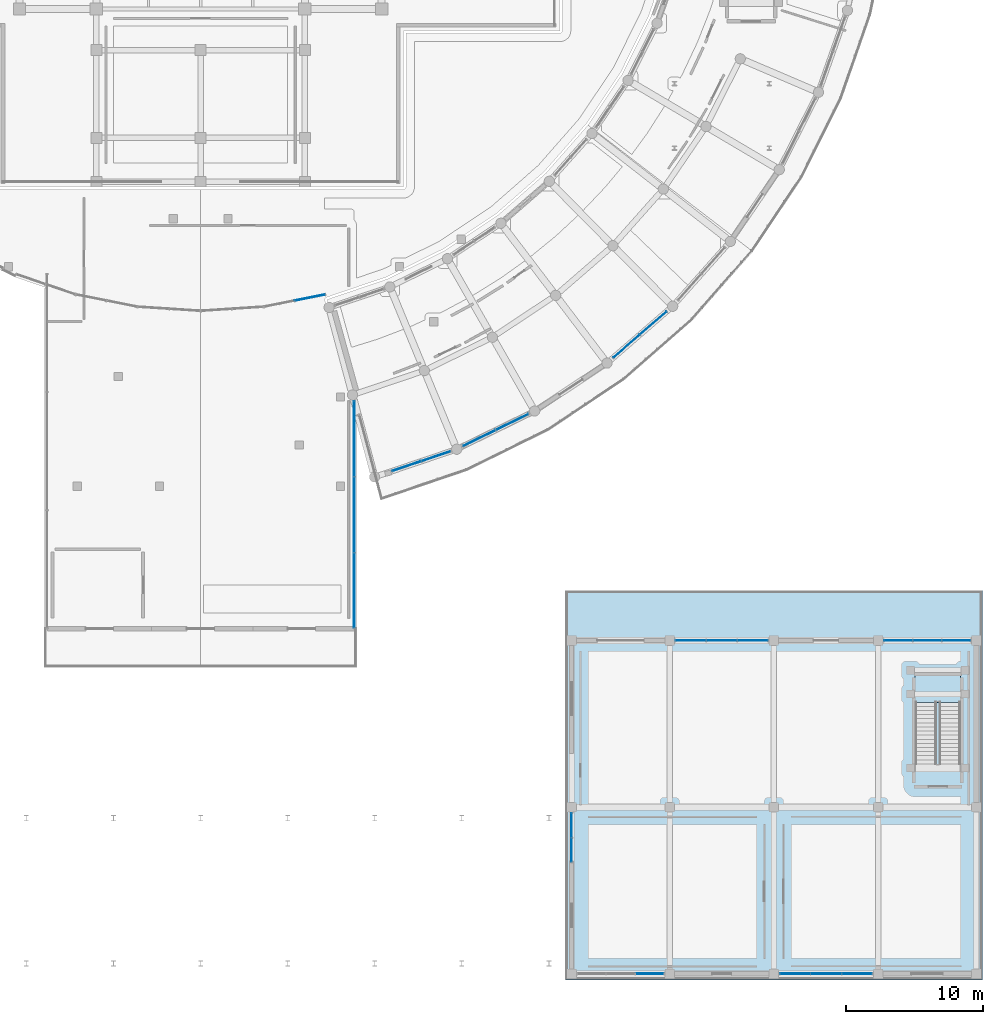
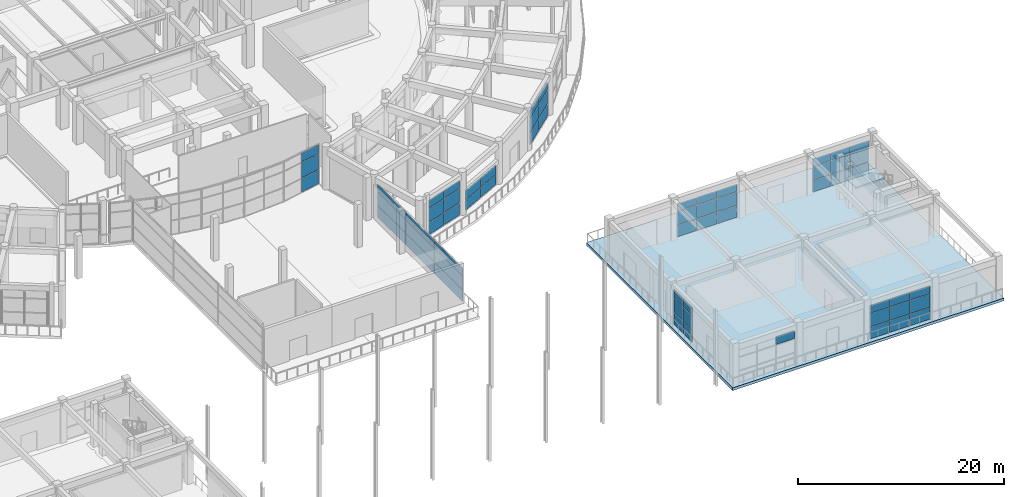
# One storey, part 56 of 99: 62 plates, 2 slabs, 11 elements without a shape of their own.
"""IFC4 building model written with IfcOpenShell, lengths in metres."""

from ifc_helpers import new_model, si_unit, direction, frame, origin, origin_2d, place, context, subcontext, project, spatial, polyline, rectangle, outline, extrude, material, layer, layer_set, type_object, element, aggregate, save


model = new_model("IFC4")

# Units and contexts
model_context = context("Model", 3, precision=1e-05, world=origin(), true_north=direction((0.0, 1.0)))
body_context = subcontext(model_context, "Body", "Model", "MODEL_VIEW")
ifc_project = project(units=[si_unit("LENGTHUNIT", "METRE"), si_unit("AREAUNIT", "SQUARE_METRE"), si_unit("VOLUMEUNIT", "CUBIC_METRE"), si_unit("PLANEANGLEUNIT", "RADIAN"), si_unit("MASSUNIT", "GRAM", prefix="KILO")], contexts=[model_context])

# Site, building, storey
site_placement = place(None, origin())
site = spatial("IfcSite", under=ifc_project, at=site_placement, CompositionType="ELEMENT")
building_placement = place(site_placement, origin())
building = spatial("IfcBuilding", under=site, at=building_placement, Name="Saryqyr Civic Hall", CompositionType="ELEMENT")
storey_placement = place(building_placement, origin())
storey = spatial("IfcBuildingStorey", under=building, at=storey_placement, Name="L00", CompositionType="ELEMENT", Elevation=0.0)

# Curtain wall, plates
ifc_material_1 = material(Name="Anodised aluminium and triple low-E glass", Category="aluminium")
curtain_wall_type_1 = type_object("IfcCurtainWallType", Name="ENV-CW-STD-32", PredefinedType="NOTDEFINED", material=ifc_material_1)
curtain_wall_1_placement = place(storey_placement, origin())
curtain_wall_1 = element("IfcCurtainWall", 1, at=curtain_wall_1_placement, inside=storey, type_object=curtain_wall_type_1, Name="Curtain wall V5-CWO-L00-00", PredefinedType="NOTDEFINED")
ifc_material_2 = material(Name="Triple low-E insulated glazing", Category="glass")
ifc_layer_1 = layer(ifc_material_2, 0.053955078125, Name="Triple low-E insulated glazing")
ifc_layer_set_1 = layer_set([ifc_layer_1], Name="Triple low-E insulated glazing")
plate_type = type_object("IfcPlateType", Name="ENV-CW-PNL-38", PredefinedType="CURTAIN_PANEL", material=ifc_layer_set_1)
plate_1_placement = place(storey_placement, frame((74.165771484375, 38.1875, 0.06005859375), z_axis=(0.0, 0.0, 1.0), x_axis=(-0.947197145075, -0.320651786775, 0.0)))
plate_1 = element("IfcPlate", 2, at=plate_1_placement, type_object=plate_type, Name="CW-32 panel 1.1", PredefinedType="CURTAIN_PANEL", context=body_context, shape_type="SweptSolid", body=[
    extrude(rectangle(XDim=2.193359375, YDim=0.053955078125, at=origin_2d()), origin(), (0.0, 0.0, 1.0), 1.419921875),
])
plate_2_placement = place(storey_placement, frame((74.165771484375, 38.1875, 1.5400390625), z_axis=(0.0, 0.0, 1.0), x_axis=(-0.947197145075, -0.320651786775, 0.0)))
plate_2 = element("IfcPlate", 3, at=plate_2_placement, type_object=plate_type, Name="CW-32 panel 1.2", PredefinedType="CURTAIN_PANEL", context=body_context, shape_type="SweptSolid", body=[
    extrude(rectangle(XDim=2.193359375, YDim=0.053955078125, at=origin_2d()), origin(), (0.0, 0.0, 1.0), 1.617919921875),
])
plate_3_placement = place(storey_placement, frame((74.165771484375, 38.1875, 3.218017578125), z_axis=(0.0, 0.0, 1.0), x_axis=(-0.947197145075, -0.320651786775, 0.0)))
plate_3 = element("IfcPlate", 4, at=plate_3_placement, type_object=plate_type, Name="CW-32 panel 1.3", PredefinedType="CURTAIN_PANEL", context=body_context, shape_type="SweptSolid", body=[
    extrude(rectangle(XDim=2.193359375, YDim=0.053955078125, at=origin_2d()), origin(), (0.0, 0.0, 1.0), 0.9169921875),
])
plate_4_placement = place(storey_placement, frame((72.03125, 37.46484375, 0.06005859375), z_axis=(0.0, 0.0, 1.0), x_axis=(-0.947197145075, -0.320651786775, 0.0)))
plate_4 = element("IfcPlate", 5, at=plate_4_placement, type_object=plate_type, Name="CW-32 panel 2.1", PredefinedType="CURTAIN_PANEL", context=body_context, shape_type="SweptSolid", body=[
    extrude(rectangle(XDim=2.193359375, YDim=0.053955078125, at=origin_2d()), origin(), (0.0, 0.0, 1.0), 1.419921875),
])
plate_5_placement = place(storey_placement, frame((72.03125, 37.46484375, 1.5400390625), z_axis=(0.0, 0.0, 1.0), x_axis=(-0.947197145075, -0.320651786775, 0.0)))
plate_5 = element("IfcPlate", 6, at=plate_5_placement, type_object=plate_type, Name="CW-32 panel 2.2", PredefinedType="CURTAIN_PANEL", context=body_context, shape_type="SweptSolid", body=[
    extrude(rectangle(XDim=2.193359375, YDim=0.053955078125, at=origin_2d()), origin(), (0.0, 0.0, 1.0), 1.617919921875),
])
plate_6_placement = place(storey_placement, frame((72.03125, 37.46484375, 3.218017578125), z_axis=(0.0, 0.0, 1.0), x_axis=(-0.947197145075, -0.320651786775, 0.0)))
plate_6 = element("IfcPlate", 7, at=plate_6_placement, type_object=plate_type, Name="CW-32 panel 2.3", PredefinedType="CURTAIN_PANEL", context=body_context, shape_type="SweptSolid", body=[
    extrude(rectangle(XDim=2.193359375, YDim=0.053955078125, at=origin_2d()), origin(), (0.0, 0.0, 1.0), 0.9169921875),
])
aggregate(curtain_wall_1, [plate_1, plate_2, plate_3, plate_4, plate_5, plate_6])

curtain_wall_type_2 = type_object("IfcCurtainWallType", Name="ENV-CW-STD-33", PredefinedType="NOTDEFINED", material=ifc_material_1)
curtain_wall_2_placement = place(storey_placement, origin())
curtain_wall_2 = element("IfcCurtainWall", 8, at=curtain_wall_2_placement, inside=storey, type_object=curtain_wall_type_2, Name="Curtain wall V5-CWO-L00-01", PredefinedType="NOTDEFINED")
plate_7_placement = place(storey_placement, frame((79.717529296875, 40.67919921875, 0.06005859375), z_axis=(0.0, 0.0, 1.0), x_axis=(-0.897977359396, -0.440041659406, 0.0)))
plate_7 = element("IfcPlate", 9, at=plate_7_placement, type_object=plate_type, Name="CW-33 panel 1.1", PredefinedType="CURTAIN_PANEL", context=body_context, shape_type="SweptSolid", body=[
    extrude(rectangle(XDim=2.612060546875, YDim=0.053955078125, at=origin_2d()), origin(), (0.0, 0.0, 1.0), 1.135009765625),
])
plate_8_placement = place(storey_placement, frame((79.717529296875, 40.67919921875, 1.2548828125), z_axis=(0.0, 0.0, 1.0), x_axis=(-0.897977359396, -0.440041659406, 0.0)))
plate_8 = element("IfcPlate", 10, at=plate_8_placement, type_object=plate_type, Name="CW-33 panel 1.2", PredefinedType="CURTAIN_PANEL", context=body_context, shape_type="SweptSolid", body=[
    extrude(rectangle(XDim=2.612060546875, YDim=0.053955078125, at=origin_2d()), origin(), (0.0, 0.0, 1.0), 1.135009765625),
])
plate_9_placement = place(storey_placement, frame((77.318115234375, 39.50341796875, 0.06005859375), z_axis=(0.0, 0.0, 1.0), x_axis=(-0.897977359396, -0.440041659406, 0.0)))
plate_9 = element("IfcPlate", 11, at=plate_9_placement, type_object=plate_type, Name="CW-33 panel 2.1", PredefinedType="CURTAIN_PANEL", context=body_context, shape_type="SweptSolid", body=[
    extrude(rectangle(XDim=2.612060546875, YDim=0.053955078125, at=origin_2d()), origin(), (0.0, 0.0, 1.0), 1.135009765625),
])
plate_10_placement = place(storey_placement, frame((77.318115234375, 39.50341796875, 1.2548828125), z_axis=(0.0, 0.0, 1.0), x_axis=(-0.897977359396, -0.440041659406, 0.0)))
plate_10 = element("IfcPlate", 12, at=plate_10_placement, type_object=plate_type, Name="CW-33 panel 2.2", PredefinedType="CURTAIN_PANEL", context=body_context, shape_type="SweptSolid", body=[
    extrude(rectangle(XDim=2.612060546875, YDim=0.053955078125, at=origin_2d()), origin(), (0.0, 0.0, 1.0), 1.135009765625),
])
aggregate(curtain_wall_2, [plate_7, plate_8, plate_9, plate_10])

curtain_wall_type_3 = type_object("IfcCurtainWallType", Name="ENV-CW-STD-34", PredefinedType="NOTDEFINED", material=ifc_material_1)
curtain_wall_3_placement = place(storey_placement, origin())
curtain_wall_3 = element("IfcCurtainWall", 13, at=curtain_wall_3_placement, inside=storey, type_object=curtain_wall_type_3, Name="Curtain wall V5-CWO-L00-03", PredefinedType="NOTDEFINED")
plate_11_placement = place(storey_placement, frame((90.00341796875, 47.896728515625, 0.06005859375), z_axis=(0.0, 0.0, 1.0), x_axis=(-0.755656276333, -0.654968390107, 0.0)))
plate_11 = element("IfcPlate", 14, at=plate_11_placement, type_object=plate_type, Name="CW-34 panel 1.1", PredefinedType="CURTAIN_PANEL", context=body_context, shape_type="SweptSolid", body=[
    extrude(rectangle(XDim=2.52490234375, YDim=0.053955078125, at=origin_2d()), origin(), (0.0, 0.0, 1.0), 1.419921875),
])
plate_12_placement = place(storey_placement, frame((90.00341796875, 47.896728515625, 1.5400390625), z_axis=(0.0, 0.0, 1.0), x_axis=(-0.755656276333, -0.654968390107, 0.0)))
plate_12 = element("IfcPlate", 15, at=plate_12_placement, type_object=plate_type, Name="CW-34 panel 1.2", PredefinedType="CURTAIN_PANEL", context=body_context, shape_type="SweptSolid", body=[
    extrude(rectangle(XDim=2.52490234375, YDim=0.053955078125, at=origin_2d()), origin(), (0.0, 0.0, 1.0), 1.617919921875),
])
plate_13_placement = place(storey_placement, frame((90.00341796875, 47.896728515625, 3.218017578125), z_axis=(0.0, 0.0, 1.0), x_axis=(-0.755656276333, -0.654968390107, 0.0)))
plate_13 = element("IfcPlate", 16, at=plate_13_placement, type_object=plate_type, Name="CW-34 panel 1.3", PredefinedType="CURTAIN_PANEL", context=body_context, shape_type="SweptSolid", body=[
    extrude(rectangle(XDim=2.52490234375, YDim=0.053955078125, at=origin_2d()), origin(), (0.0, 0.0, 1.0), 0.9169921875),
])
plate_14_placement = place(storey_placement, frame((88.050048828125, 46.20361328125, 0.06005859375), z_axis=(0.0, 0.0, 1.0), x_axis=(-0.755656276333, -0.654968390107, 0.0)))
plate_14 = element("IfcPlate", 17, at=plate_14_placement, type_object=plate_type, Name="CW-34 panel 2.1", PredefinedType="CURTAIN_PANEL", context=body_context, shape_type="SweptSolid", body=[
    extrude(rectangle(XDim=2.52490234375, YDim=0.053955078125, at=origin_2d()), origin(), (0.0, 0.0, 1.0), 1.419921875),
])
plate_15_placement = place(storey_placement, frame((88.050048828125, 46.20361328125, 1.5400390625), z_axis=(0.0, 0.0, 1.0), x_axis=(-0.755656276333, -0.654968390107, 0.0)))
plate_15 = element("IfcPlate", 18, at=plate_15_placement, type_object=plate_type, Name="CW-34 panel 2.2", PredefinedType="CURTAIN_PANEL", context=body_context, shape_type="SweptSolid", body=[
    extrude(rectangle(XDim=2.52490234375, YDim=0.053955078125, at=origin_2d()), origin(), (0.0, 0.0, 1.0), 1.617919921875),
])
plate_16_placement = place(storey_placement, frame((88.050048828125, 46.20361328125, 3.218017578125), z_axis=(0.0, 0.0, 1.0), x_axis=(-0.755656276333, -0.654968390107, 0.0)))
plate_16 = element("IfcPlate", 19, at=plate_16_placement, type_object=plate_type, Name="CW-34 panel 2.3", PredefinedType="CURTAIN_PANEL", context=body_context, shape_type="SweptSolid", body=[
    extrude(rectangle(XDim=2.52490234375, YDim=0.053955078125, at=origin_2d()), origin(), (0.0, 0.0, 1.0), 0.9169921875),
])
aggregate(curtain_wall_3, [plate_11, plate_12, plate_13, plate_14, plate_15, plate_16])

curtain_wall_type_4 = type_object("IfcCurtainWallType", Name="ENV-CW-STD-59", PredefinedType="NOTDEFINED", material=ifc_material_1)
curtain_wall_4_placement = place(storey_placement, origin())
curtain_wall_4 = element("IfcCurtainWall", 20, at=curtain_wall_4_placement, inside=storey, type_object=curtain_wall_type_4, Name="Curtain wall V7E-CW-L00-0-1", PredefinedType="NOTDEFINED")
plate_17_placement = place(storey_placement, frame((104.8583984375, 0.449951171875, 0.06005859375), z_axis=(0.0, 0.0, 1.0), x_axis=(-1.0, 0.0, 0.0)))
plate_17 = element("IfcPlate", 21, at=plate_17_placement, type_object=plate_type, Name="CW-59 panel 1.1", PredefinedType="CURTAIN_PANEL", context=body_context, shape_type="SweptSolid", body=[
    extrude(rectangle(XDim=2.183349609375, YDim=0.053955078125, at=origin_2d()), origin(), (0.0, 0.0, 1.0), 1.365966796875),
])
plate_18_placement = place(storey_placement, frame((104.8583984375, 0.449951171875, 1.48583984375), z_axis=(0.0, 0.0, 1.0), x_axis=(-1.0, 0.0, 0.0)))
plate_18 = element("IfcPlate", 22, at=plate_18_placement, type_object=plate_type, Name="CW-59 panel 1.2", PredefinedType="CURTAIN_PANEL", context=body_context, shape_type="SweptSolid", body=[
    extrude(rectangle(XDim=2.183349609375, YDim=0.053955078125, at=origin_2d()), origin(), (0.0, 0.0, 1.0), 1.55810546875),
])
plate_19_placement = place(storey_placement, frame((104.8583984375, 0.449951171875, 3.10400390625), z_axis=(0.0, 0.0, 1.0), x_axis=(-1.0, 0.0, 0.0)))
plate_19 = element("IfcPlate", 23, at=plate_19_placement, type_object=plate_type, Name="CW-59 panel 1.3", PredefinedType="CURTAIN_PANEL", context=body_context, shape_type="SweptSolid", body=[
    extrude(rectangle(XDim=2.183349609375, YDim=0.053955078125, at=origin_2d()), origin(), (0.0, 0.0, 1.0), 0.881103515625),
])
plate_20_placement = place(storey_placement, frame((102.60009765625, 0.449951171875, 0.06005859375), z_axis=(0.0, 0.0, 1.0), x_axis=(-1.0, 0.0, 0.0)))
plate_20 = element("IfcPlate", 24, at=plate_20_placement, type_object=plate_type, Name="CW-59 panel 2.1", PredefinedType="CURTAIN_PANEL", context=body_context, shape_type="SweptSolid", body=[
    extrude(rectangle(XDim=2.21337890625, YDim=0.053955078125, at=origin_2d()), origin(), (0.0, 0.0, 1.0), 1.365966796875),
])
plate_21_placement = place(storey_placement, frame((102.60009765625, 0.449951171875, 1.48583984375), z_axis=(0.0, 0.0, 1.0), x_axis=(-1.0, 0.0, 0.0)))
plate_21 = element("IfcPlate", 25, at=plate_21_placement, type_object=plate_type, Name="CW-59 panel 2.2", PredefinedType="CURTAIN_PANEL", context=body_context, shape_type="SweptSolid", body=[
    extrude(rectangle(XDim=2.21337890625, YDim=0.053955078125, at=origin_2d()), origin(), (0.0, 0.0, 1.0), 1.55810546875),
])
plate_22_placement = place(storey_placement, frame((102.60009765625, 0.449951171875, 3.10400390625), z_axis=(0.0, 0.0, 1.0), x_axis=(-1.0, 0.0, 0.0)))
plate_22 = element("IfcPlate", 26, at=plate_22_placement, type_object=plate_type, Name="CW-59 panel 2.3", PredefinedType="CURTAIN_PANEL", context=body_context, shape_type="SweptSolid", body=[
    extrude(rectangle(XDim=2.21337890625, YDim=0.053955078125, at=origin_2d()), origin(), (0.0, 0.0, 1.0), 0.881103515625),
])
plate_23_placement = place(storey_placement, frame((100.341552734375, 0.449951171875, 0.06005859375), z_axis=(0.0, 0.0, 1.0), x_axis=(-1.0, 0.0, 0.0)))
plate_23 = element("IfcPlate", 27, at=plate_23_placement, type_object=plate_type, Name="CW-59 panel 3.1", PredefinedType="CURTAIN_PANEL", context=body_context, shape_type="SweptSolid", body=[
    extrude(rectangle(XDim=2.183349609375, YDim=0.053955078125, at=origin_2d()), origin(), (0.0, 0.0, 1.0), 1.365966796875),
])
plate_24_placement = place(storey_placement, frame((100.341552734375, 0.449951171875, 1.48583984375), z_axis=(0.0, 0.0, 1.0), x_axis=(-1.0, 0.0, 0.0)))
plate_24 = element("IfcPlate", 28, at=plate_24_placement, type_object=plate_type, Name="CW-59 panel 3.2", PredefinedType="CURTAIN_PANEL", context=body_context, shape_type="SweptSolid", body=[
    extrude(rectangle(XDim=2.183349609375, YDim=0.053955078125, at=origin_2d()), origin(), (0.0, 0.0, 1.0), 1.55810546875),
])
plate_25_placement = place(storey_placement, frame((100.341552734375, 0.449951171875, 3.10400390625), z_axis=(0.0, 0.0, 1.0), x_axis=(-1.0, 0.0, 0.0)))
plate_25 = element("IfcPlate", 29, at=plate_25_placement, type_object=plate_type, Name="CW-59 panel 3.3", PredefinedType="CURTAIN_PANEL", context=body_context, shape_type="SweptSolid", body=[
    extrude(rectangle(XDim=2.183349609375, YDim=0.053955078125, at=origin_2d()), origin(), (0.0, 0.0, 1.0), 0.881103515625),
])
aggregate(curtain_wall_4, [plate_17, plate_18, plate_19, plate_20, plate_21, plate_22, plate_23, plate_24, plate_25])

# Curtain wall, plate
curtain_wall_type_5 = type_object("IfcCurtainWallType", Name="ENV-CW-STD-60", PredefinedType="NOTDEFINED", material=ifc_material_1)
curtain_wall_5_placement = place(storey_placement, origin())
curtain_wall_5 = element("IfcCurtainWall", 30, at=curtain_wall_5_placement, inside=storey, type_object=curtain_wall_type_5, Name="Curtain wall V7E-CW-L00-0-3", PredefinedType="NOTDEFINED")
plate_26_placement = place(storey_placement, frame((89.7333984375, 0.449951171875, 3.10400390625), z_axis=(0.0, 0.0, 1.0), x_axis=(-1.0, 0.0, 0.0)))
plate_26 = element("IfcPlate", 31, at=plate_26_placement, type_object=plate_type, Name="CW-60 panel 1.3", PredefinedType="CURTAIN_PANEL", context=body_context, shape_type="SweptSolid", body=[
    extrude(rectangle(XDim=2.033447265625, YDim=0.053955078125, at=origin_2d()), origin(), (0.0, 0.0, 1.0), 0.881103515625),
])
aggregate(curtain_wall_5, [plate_26])

# Curtain wall, plates
curtain_wall_6_placement = place(storey_placement, origin())
curtain_wall_6 = element("IfcCurtainWall", 32, at=curtain_wall_6_placement, inside=storey, type_object=curtain_wall_type_4, Name="Curtain wall V7E-CW-L00-2-1", PredefinedType="NOTDEFINED")
plate_27_placement = place(storey_placement, frame((92.74169921875, 24.75, 0.06005859375), z_axis=(0.0, 0.0, 1.0), x_axis=(1.0, 0.0, 0.0)))
plate_27 = element("IfcPlate", 33, at=plate_27_placement, type_object=plate_type, Name="CW-59 panel 1.1", PredefinedType="CURTAIN_PANEL", context=body_context, shape_type="SweptSolid", body=[
    extrude(rectangle(XDim=2.183349609375, YDim=0.053955078125, at=origin_2d()), origin(), (0.0, 0.0, 1.0), 1.365966796875),
])
plate_28_placement = place(storey_placement, frame((92.74169921875, 24.75, 1.48583984375), z_axis=(0.0, 0.0, 1.0), x_axis=(1.0, 0.0, 0.0)))
plate_28 = element("IfcPlate", 34, at=plate_28_placement, type_object=plate_type, Name="CW-59 panel 1.2", PredefinedType="CURTAIN_PANEL", context=body_context, shape_type="SweptSolid", body=[
    extrude(rectangle(XDim=2.183349609375, YDim=0.053955078125, at=origin_2d()), origin(), (0.0, 0.0, 1.0), 1.55810546875),
])
plate_29_placement = place(storey_placement, frame((92.74169921875, 24.75, 3.10400390625), z_axis=(0.0, 0.0, 1.0), x_axis=(1.0, 0.0, 0.0)))
plate_29 = element("IfcPlate", 35, at=plate_29_placement, type_object=plate_type, Name="CW-59 panel 1.3", PredefinedType="CURTAIN_PANEL", context=body_context, shape_type="SweptSolid", body=[
    extrude(rectangle(XDim=2.183349609375, YDim=0.053955078125, at=origin_2d()), origin(), (0.0, 0.0, 1.0), 0.881103515625),
])
plate_30_placement = place(storey_placement, frame((95.0, 24.75, 0.06005859375), z_axis=(0.0, 0.0, 1.0), x_axis=(1.0, 0.0, 0.0)))
plate_30 = element("IfcPlate", 36, at=plate_30_placement, type_object=plate_type, Name="CW-59 panel 2.1", PredefinedType="CURTAIN_PANEL", context=body_context, shape_type="SweptSolid", body=[
    extrude(rectangle(XDim=2.21337890625, YDim=0.053955078125, at=origin_2d()), origin(), (0.0, 0.0, 1.0), 1.365966796875),
])
plate_31_placement = place(storey_placement, frame((95.0, 24.75, 1.48583984375), z_axis=(0.0, 0.0, 1.0), x_axis=(1.0, 0.0, 0.0)))
plate_31 = element("IfcPlate", 37, at=plate_31_placement, type_object=plate_type, Name="CW-59 panel 2.2", PredefinedType="CURTAIN_PANEL", context=body_context, shape_type="SweptSolid", body=[
    extrude(rectangle(XDim=2.21337890625, YDim=0.053955078125, at=origin_2d()), origin(), (0.0, 0.0, 1.0), 1.55810546875),
])
plate_32_placement = place(storey_placement, frame((95.0, 24.75, 3.10400390625), z_axis=(0.0, 0.0, 1.0), x_axis=(1.0, 0.0, 0.0)))
plate_32 = element("IfcPlate", 38, at=plate_32_placement, type_object=plate_type, Name="CW-59 panel 2.3", PredefinedType="CURTAIN_PANEL", context=body_context, shape_type="SweptSolid", body=[
    extrude(rectangle(XDim=2.21337890625, YDim=0.053955078125, at=origin_2d()), origin(), (0.0, 0.0, 1.0), 0.881103515625),
])
plate_33_placement = place(storey_placement, frame((97.25830078125, 24.75, 0.06005859375), z_axis=(0.0, 0.0, 1.0), x_axis=(1.0, 0.0, 0.0)))
plate_33 = element("IfcPlate", 39, at=plate_33_placement, type_object=plate_type, Name="CW-59 panel 3.1", PredefinedType="CURTAIN_PANEL", context=body_context, shape_type="SweptSolid", body=[
    extrude(rectangle(XDim=2.183349609375, YDim=0.053955078125, at=origin_2d()), origin(), (0.0, 0.0, 1.0), 1.365966796875),
])
plate_34_placement = place(storey_placement, frame((97.25830078125, 24.75, 1.48583984375), z_axis=(0.0, 0.0, 1.0), x_axis=(1.0, 0.0, 0.0)))
plate_34 = element("IfcPlate", 40, at=plate_34_placement, type_object=plate_type, Name="CW-59 panel 3.2", PredefinedType="CURTAIN_PANEL", context=body_context, shape_type="SweptSolid", body=[
    extrude(rectangle(XDim=2.183349609375, YDim=0.053955078125, at=origin_2d()), origin(), (0.0, 0.0, 1.0), 1.55810546875),
])
plate_35_placement = place(storey_placement, frame((97.25830078125, 24.75, 3.10400390625), z_axis=(0.0, 0.0, 1.0), x_axis=(1.0, 0.0, 0.0)))
plate_35 = element("IfcPlate", 41, at=plate_35_placement, type_object=plate_type, Name="CW-59 panel 3.3", PredefinedType="CURTAIN_PANEL", context=body_context, shape_type="SweptSolid", body=[
    extrude(rectangle(XDim=2.183349609375, YDim=0.053955078125, at=origin_2d()), origin(), (0.0, 0.0, 1.0), 0.881103515625),
])
aggregate(curtain_wall_6, [plate_27, plate_28, plate_29, plate_30, plate_31, plate_32, plate_33, plate_34, plate_35])

curtain_wall_7_placement = place(storey_placement, origin())
curtain_wall_7 = element("IfcCurtainWall", 42, at=curtain_wall_7_placement, inside=storey, type_object=curtain_wall_type_5, Name="Curtain wall V7E-CW-L00-2-3", PredefinedType="NOTDEFINED")
plate_36_placement = place(storey_placement, frame((107.86669921875, 24.75, 0.06005859375), z_axis=(0.0, 0.0, 1.0), x_axis=(1.0, 0.0, 0.0)))
plate_36 = element("IfcPlate", 43, at=plate_36_placement, type_object=plate_type, Name="CW-60 panel 1.1", PredefinedType="CURTAIN_PANEL", context=body_context, shape_type="SweptSolid", body=[
    extrude(rectangle(XDim=2.033447265625, YDim=0.053955078125, at=origin_2d()), origin(), (0.0, 0.0, 1.0), 1.365966796875),
])
plate_37_placement = place(storey_placement, frame((107.86669921875, 24.75, 1.48583984375), z_axis=(0.0, 0.0, 1.0), x_axis=(1.0, 0.0, 0.0)))
plate_37 = element("IfcPlate", 44, at=plate_37_placement, type_object=plate_type, Name="CW-60 panel 1.2", PredefinedType="CURTAIN_PANEL", context=body_context, shape_type="SweptSolid", body=[
    extrude(rectangle(XDim=2.033447265625, YDim=0.053955078125, at=origin_2d()), origin(), (0.0, 0.0, 1.0), 1.55810546875),
])
plate_38_placement = place(storey_placement, frame((107.86669921875, 24.75, 3.10400390625), z_axis=(0.0, 0.0, 1.0), x_axis=(1.0, 0.0, 0.0)))
plate_38 = element("IfcPlate", 45, at=plate_38_placement, type_object=plate_type, Name="CW-60 panel 1.3", PredefinedType="CURTAIN_PANEL", context=body_context, shape_type="SweptSolid", body=[
    extrude(rectangle(XDim=2.033447265625, YDim=0.053955078125, at=origin_2d()), origin(), (0.0, 0.0, 1.0), 0.881103515625),
])
plate_39_placement = place(storey_placement, frame((109.97509765625, 24.75, 0.06005859375), z_axis=(0.0, 0.0, 1.0), x_axis=(1.0, 0.0, 0.0)))
plate_39 = element("IfcPlate", 46, at=plate_39_placement, type_object=plate_type, Name="CW-60 panel 2.1", PredefinedType="CURTAIN_PANEL", context=body_context, shape_type="SweptSolid", body=[
    extrude(rectangle(XDim=2.063232421875, YDim=0.053955078125, at=origin_2d()), origin(), (0.0, 0.0, 1.0), 1.365966796875),
])
plate_40_placement = place(storey_placement, frame((109.97509765625, 24.75, 1.48583984375), z_axis=(0.0, 0.0, 1.0), x_axis=(1.0, 0.0, 0.0)))
plate_40 = element("IfcPlate", 47, at=plate_40_placement, type_object=plate_type, Name="CW-60 panel 2.2", PredefinedType="CURTAIN_PANEL", context=body_context, shape_type="SweptSolid", body=[
    extrude(rectangle(XDim=2.063232421875, YDim=0.053955078125, at=origin_2d()), origin(), (0.0, 0.0, 1.0), 1.55810546875),
])
plate_41_placement = place(storey_placement, frame((109.97509765625, 24.75, 3.10400390625), z_axis=(0.0, 0.0, 1.0), x_axis=(1.0, 0.0, 0.0)))
plate_41 = element("IfcPlate", 48, at=plate_41_placement, type_object=plate_type, Name="CW-60 panel 2.3", PredefinedType="CURTAIN_PANEL", context=body_context, shape_type="SweptSolid", body=[
    extrude(rectangle(XDim=2.063232421875, YDim=0.053955078125, at=origin_2d()), origin(), (0.0, 0.0, 1.0), 0.881103515625),
])
plate_42_placement = place(storey_placement, frame((112.083251953125, 24.75, 0.06005859375), z_axis=(0.0, 0.0, 1.0), x_axis=(1.0, 0.0, 0.0)))
plate_42 = element("IfcPlate", 49, at=plate_42_placement, type_object=plate_type, Name="CW-60 panel 3.1", PredefinedType="CURTAIN_PANEL", context=body_context, shape_type="SweptSolid", body=[
    extrude(rectangle(XDim=2.033447265625, YDim=0.053955078125, at=origin_2d()), origin(), (0.0, 0.0, 1.0), 1.365966796875),
])
plate_43_placement = place(storey_placement, frame((112.083251953125, 24.75, 1.48583984375), z_axis=(0.0, 0.0, 1.0), x_axis=(1.0, 0.0, 0.0)))
plate_43 = element("IfcPlate", 50, at=plate_43_placement, type_object=plate_type, Name="CW-60 panel 3.2", PredefinedType="CURTAIN_PANEL", context=body_context, shape_type="SweptSolid", body=[
    extrude(rectangle(XDim=2.033447265625, YDim=0.053955078125, at=origin_2d()), origin(), (0.0, 0.0, 1.0), 1.55810546875),
])
plate_44_placement = place(storey_placement, frame((112.083251953125, 24.75, 3.10400390625), z_axis=(0.0, 0.0, 1.0), x_axis=(1.0, 0.0, 0.0)))
plate_44 = element("IfcPlate", 51, at=plate_44_placement, type_object=plate_type, Name="CW-60 panel 3.3", PredefinedType="CURTAIN_PANEL", context=body_context, shape_type="SweptSolid", body=[
    extrude(rectangle(XDim=2.033447265625, YDim=0.053955078125, at=origin_2d()), origin(), (0.0, 0.0, 1.0), 0.881103515625),
])
aggregate(curtain_wall_7, [plate_36, plate_37, plate_38, plate_39, plate_40, plate_41, plate_42, plate_43, plate_44])

curtain_wall_type_6 = type_object("IfcCurtainWallType", Name="ENV-CW-STD-09", PredefinedType="NOTDEFINED", material=ifc_material_1)
curtain_wall_8_placement = place(storey_placement, origin())
curtain_wall_8 = element("IfcCurtainWall", 52, at=curtain_wall_8_placement, inside=storey, type_object=curtain_wall_type_6, Name="Curtain wall V7E-CW-L00-3-1", PredefinedType="NOTDEFINED")
plate_45_placement = place(storey_placement, frame((84.050048828125, 9.47998046875, 0.06005859375), z_axis=(0.0, 0.0, 1.0), x_axis=(0.0, 1.0, 0.0)))
plate_45 = element("IfcPlate", 53, at=plate_45_placement, type_object=plate_type, Name="CW-09 panel 1.1", PredefinedType="CURTAIN_PANEL", context=body_context, shape_type="SweptSolid", body=[
    extrude(rectangle(XDim=1.739990234375, YDim=0.053955078125, at=origin_2d()), origin(), (0.0, 0.0, 1.0), 1.419921875),
])
plate_46_placement = place(storey_placement, frame((84.050048828125, 9.47998046875, 1.5400390625), z_axis=(0.0, 0.0, 1.0), x_axis=(0.0, 1.0, 0.0)))
plate_46 = element("IfcPlate", 54, at=plate_46_placement, type_object=plate_type, Name="CW-09 panel 1.2", PredefinedType="CURTAIN_PANEL", context=body_context, shape_type="SweptSolid", body=[
    extrude(rectangle(XDim=1.739990234375, YDim=0.053955078125, at=origin_2d()), origin(), (0.0, 0.0, 1.0), 1.617919921875),
])
plate_47_placement = place(storey_placement, frame((84.050048828125, 9.47998046875, 3.218017578125), z_axis=(0.0, 0.0, 1.0), x_axis=(0.0, 1.0, 0.0)))
plate_47 = element("IfcPlate", 55, at=plate_47_placement, type_object=plate_type, Name="CW-09 panel 1.3", PredefinedType="CURTAIN_PANEL", context=body_context, shape_type="SweptSolid", body=[
    extrude(rectangle(XDim=1.739990234375, YDim=0.053955078125, at=origin_2d()), origin(), (0.0, 0.0, 1.0), 0.9169921875),
])
plate_48_placement = place(storey_placement, frame((84.050048828125, 11.280029296875, 0.06005859375), z_axis=(0.0, 0.0, 1.0), x_axis=(0.0, 1.0, 0.0)))
plate_48 = element("IfcPlate", 56, at=plate_48_placement, type_object=plate_type, Name="CW-09 panel 2.1", PredefinedType="CURTAIN_PANEL", context=body_context, shape_type="SweptSolid", body=[
    extrude(rectangle(XDim=1.739990234375, YDim=0.053955078125, at=origin_2d()), origin(), (0.0, 0.0, 1.0), 1.419921875),
])
plate_49_placement = place(storey_placement, frame((84.050048828125, 11.280029296875, 1.5400390625), z_axis=(0.0, 0.0, 1.0), x_axis=(0.0, 1.0, 0.0)))
plate_49 = element("IfcPlate", 57, at=plate_49_placement, type_object=plate_type, Name="CW-09 panel 2.2", PredefinedType="CURTAIN_PANEL", context=body_context, shape_type="SweptSolid", body=[
    extrude(rectangle(XDim=1.739990234375, YDim=0.053955078125, at=origin_2d()), origin(), (0.0, 0.0, 1.0), 1.617919921875),
])
plate_50_placement = place(storey_placement, frame((84.050048828125, 11.280029296875, 3.218017578125), z_axis=(0.0, 0.0, 1.0), x_axis=(0.0, 1.0, 0.0)))
plate_50 = element("IfcPlate", 58, at=plate_50_placement, type_object=plate_type, Name="CW-09 panel 2.3", PredefinedType="CURTAIN_PANEL", context=body_context, shape_type="SweptSolid", body=[
    extrude(rectangle(XDim=1.739990234375, YDim=0.053955078125, at=origin_2d()), origin(), (0.0, 0.0, 1.0), 0.9169921875),
])
aggregate(curtain_wall_8, [plate_45, plate_46, plate_47, plate_48, plate_49, plate_50])

curtain_wall_type_7 = type_object("IfcCurtainWallType", Name="ENV-CW-STD-64", PredefinedType="NOTDEFINED", material=ifc_material_1)
curtain_wall_9_placement = place(storey_placement, origin())
curtain_wall_9 = element("IfcCurtainWall", 59, at=curtain_wall_9_placement, inside=storey, type_object=curtain_wall_type_7, Name="Curtain wall V2-VESTFLK-SE-L00", PredefinedType="NOTDEFINED")
plate_51_placement = place(storey_placement, frame((68.199951171875, 39.4560546875, 0.06005859375), z_axis=(0.0, 0.0, 1.0), x_axis=(0.0, -1.0, 0.0)))
plate_51 = element("IfcPlate", 60, at=plate_51_placement, type_object=plate_type, Name="CW-64 panel 1.1", PredefinedType="CURTAIN_PANEL", context=body_context, shape_type="SweptSolid", body=[
    extrude(rectangle(XDim=5.454345703125, YDim=0.053955078125, at=origin_2d()), origin(), (0.0, 0.0, 1.0), 1.365966796875),
])
plate_52_placement = place(storey_placement, frame((68.199951171875, 39.4560546875, 1.48583984375), z_axis=(0.0, 0.0, 1.0), x_axis=(0.0, -1.0, 0.0)))
plate_52 = element("IfcPlate", 61, at=plate_52_placement, type_object=plate_type, Name="CW-64 panel 1.2", PredefinedType="CURTAIN_PANEL", context=body_context, shape_type="SweptSolid", body=[
    extrude(rectangle(XDim=5.454345703125, YDim=0.053955078125, at=origin_2d()), origin(), (0.0, 0.0, 1.0), 1.55810546875),
])
plate_53_placement = place(storey_placement, frame((68.199951171875, 39.4560546875, 3.10400390625), z_axis=(0.0, 0.0, 1.0), x_axis=(0.0, -1.0, 0.0)))
plate_53 = element("IfcPlate", 62, at=plate_53_placement, type_object=plate_type, Name="CW-64 panel 1.3", PredefinedType="CURTAIN_PANEL", context=body_context, shape_type="SweptSolid", body=[
    extrude(rectangle(XDim=5.454345703125, YDim=0.053955078125, at=origin_2d()), origin(), (0.0, 0.0, 1.0), 0.881103515625),
])
plate_54_placement = place(storey_placement, frame((68.199951171875, 33.9267578125, 0.06005859375), z_axis=(0.0, 0.0, 1.0), x_axis=(0.0, -1.0, 0.0)))
plate_54 = element("IfcPlate", 63, at=plate_54_placement, type_object=plate_type, Name="CW-64 panel 2.1", PredefinedType="CURTAIN_PANEL", context=body_context, shape_type="SweptSolid", body=[
    extrude(rectangle(XDim=5.484375, YDim=0.053955078125, at=origin_2d()), origin(), (0.0, 0.0, 1.0), 1.365966796875),
])
plate_55_placement = place(storey_placement, frame((68.199951171875, 33.9267578125, 1.48583984375), z_axis=(0.0, 0.0, 1.0), x_axis=(0.0, -1.0, 0.0)))
plate_55 = element("IfcPlate", 64, at=plate_55_placement, type_object=plate_type, Name="CW-64 panel 2.2", PredefinedType="CURTAIN_PANEL", context=body_context, shape_type="SweptSolid", body=[
    extrude(rectangle(XDim=5.484375, YDim=0.053955078125, at=origin_2d()), origin(), (0.0, 0.0, 1.0), 1.55810546875),
])
plate_56_placement = place(storey_placement, frame((68.199951171875, 33.9267578125, 3.10400390625), z_axis=(0.0, 0.0, 1.0), x_axis=(0.0, -1.0, 0.0)))
plate_56 = element("IfcPlate", 65, at=plate_56_placement, type_object=plate_type, Name="CW-64 panel 2.3", PredefinedType="CURTAIN_PANEL", context=body_context, shape_type="SweptSolid", body=[
    extrude(rectangle(XDim=5.484375, YDim=0.053955078125, at=origin_2d()), origin(), (0.0, 0.0, 1.0), 0.881103515625),
])
plate_57_placement = place(storey_placement, frame((68.199951171875, 28.397216796875, 0.06005859375), z_axis=(0.0, 0.0, 1.0), x_axis=(0.0, -1.0, 0.0)))
plate_57 = element("IfcPlate", 66, at=plate_57_placement, type_object=plate_type, Name="CW-64 panel 3.1", PredefinedType="CURTAIN_PANEL", context=body_context, shape_type="SweptSolid", body=[
    extrude(rectangle(XDim=5.454345703125, YDim=0.053955078125, at=origin_2d()), origin(), (0.0, 0.0, 1.0), 1.365966796875),
])
plate_58_placement = place(storey_placement, frame((68.199951171875, 28.397216796875, 1.48583984375), z_axis=(0.0, 0.0, 1.0), x_axis=(0.0, -1.0, 0.0)))
plate_58 = element("IfcPlate", 67, at=plate_58_placement, type_object=plate_type, Name="CW-64 panel 3.2", PredefinedType="CURTAIN_PANEL", context=body_context, shape_type="SweptSolid", body=[
    extrude(rectangle(XDim=5.454345703125, YDim=0.053955078125, at=origin_2d()), origin(), (0.0, 0.0, 1.0), 1.55810546875),
])
plate_59_placement = place(storey_placement, frame((68.199951171875, 28.397216796875, 3.10400390625), z_axis=(0.0, 0.0, 1.0), x_axis=(0.0, -1.0, 0.0)))
plate_59 = element("IfcPlate", 68, at=plate_59_placement, type_object=plate_type, Name="CW-64 panel 3.3", PredefinedType="CURTAIN_PANEL", context=body_context, shape_type="SweptSolid", body=[
    extrude(rectangle(XDim=5.454345703125, YDim=0.053955078125, at=origin_2d()), origin(), (0.0, 0.0, 1.0), 0.881103515625),
])
aggregate(curtain_wall_9, [plate_51, plate_52, plate_53, plate_54, plate_55, plate_56, plate_57, plate_58, plate_59])

curtain_wall_type_8 = type_object("IfcCurtainWallType", Name="ENV-CW-STD-67", PredefinedType="NOTDEFINED", material=ifc_material_1)
curtain_wall_10_placement = place(storey_placement, origin())
curtain_wall_10 = element("IfcCurtainWall", 69, at=curtain_wall_10_placement, inside=storey, type_object=curtain_wall_type_8, Name="Curtain wall V2-PERIM-CW-L00-37", PredefinedType="NOTDEFINED")
plate_60_placement = place(storey_placement, frame((64.97119140625, 49.75244140625, 0.06005859375), z_axis=(0.0, 0.0, 1.0), x_axis=(-0.980784679507, -0.195093342902, 0.0)))
plate_60 = element("IfcPlate", 70, at=plate_60_placement, type_object=plate_type, Name="CW-67 panel 1.1", PredefinedType="CURTAIN_PANEL", context=body_context, shape_type="SweptSolid", body=[
    extrude(rectangle(XDim=2.213623046875, YDim=0.053955078125, at=origin_2d()), origin(), (0.0, 0.0, 1.0), 1.6201171875),
])
plate_61_placement = place(storey_placement, frame((64.97119140625, 49.75244140625, 1.73974609375), z_axis=(0.0, 0.0, 1.0), x_axis=(-0.980784679507, -0.195093342902, 0.0)))
plate_61 = element("IfcPlate", 71, at=plate_61_placement, type_object=plate_type, Name="CW-67 panel 1.2", PredefinedType="CURTAIN_PANEL", context=body_context, shape_type="SweptSolid", body=[
    extrude(rectangle(XDim=2.213623046875, YDim=0.053955078125, at=origin_2d()), origin(), (0.0, 0.0, 1.0), 1.840087890625),
])
plate_62_placement = place(storey_placement, frame((64.97119140625, 49.75244140625, 3.64013671875), z_axis=(0.0, 0.0, 1.0), x_axis=(-0.980784679507, -0.195093342902, 0.0)))
plate_62 = element("IfcPlate", 72, at=plate_62_placement, type_object=plate_type, Name="CW-67 panel 1.3", PredefinedType="CURTAIN_PANEL", context=body_context, shape_type="SweptSolid", body=[
    extrude(rectangle(XDim=2.213623046875, YDim=0.053955078125, at=origin_2d()), origin(), (0.0, 0.0, 1.0), 1.050048828125),
])
aggregate(curtain_wall_10, [plate_60, plate_61, plate_62])

# Slab
ifc_material_3 = material(Name="Concrete C40/50", Category="concrete")
ifc_layer_2 = layer(ifc_material_3, 0.320068359375, Name="Concrete C40/50")
ifc_layer_set_2 = layer_set([ifc_layer_2], Name="Concrete C40/50")
slab_type_1 = type_object("IfcSlabType", Name="STR-SLB-FLR-320", PredefinedType="FLOOR", material=ifc_layer_set_2)
slab_1_placement = place(storey_placement, frame((0.0, 0.0, -0.320068359375)))
element("IfcSlab", 73, at=slab_1_placement, inside=storey, type_object=slab_type_1, Name="Slab SLB-V7E-L00", PredefinedType="FLOOR", context=body_context, shape_type="SweptSolid", body=[
    extrude(outline(polyline([(83.60009765625, 28.39990234375), (114.0, 28.39990234375), (114.0, 0.0), (83.60009765625, 0.0), (83.60009765625, 28.39990234375)])), origin(), (0.0, 0.0, 1.0), 0.320068359375),
])

# Stair, slab
ifc_material_4 = material(Name="Concrete C35/45", Category="concrete")
stair_type = type_object("IfcStairType", Name="INT-STR-ST-8", PredefinedType="HALF_TURN_STAIR", material=ifc_material_4)
stair_placement = place(storey_placement, origin())
stair = element("IfcStair", 74, at=stair_placement, inside=storey, type_object=stair_type, Name="L00 Protected Exit Stair ST-8", PredefinedType="HALF_TURN_STAIR")
ifc_layer_3 = layer(ifc_material_4, 0.199951171875, Name="Concrete C35/45")
ifc_layer_set_3 = layer_set([ifc_layer_3], Name="Concrete C35/45")
slab_type_2 = type_object("IfcSlabType", Name="STR-SLB-LND-200", PredefinedType="LANDING", material=ifc_layer_set_3)
slab_2_placement = place(storey_placement, frame((0.0, 0.0, 2.35009765625)))
slab_2 = element("IfcSlab", 75, at=slab_2_placement, type_object=slab_type_2, Name="ST-8 landing 1", PredefinedType="LANDING", context=body_context, shape_type="SweptSolid", body=[
    extrude(outline(polyline([(112.39990234375, 20.25), (112.39990234375, 22.199951171875), (109.10009765625, 22.199951171875), (109.10009765625, 20.25), (112.39990234375, 20.25)])), origin(), (0.0, 0.0, 1.0), 0.199951171875),
])
aggregate(stair, [slab_2])

save(model, "model.ifc")
